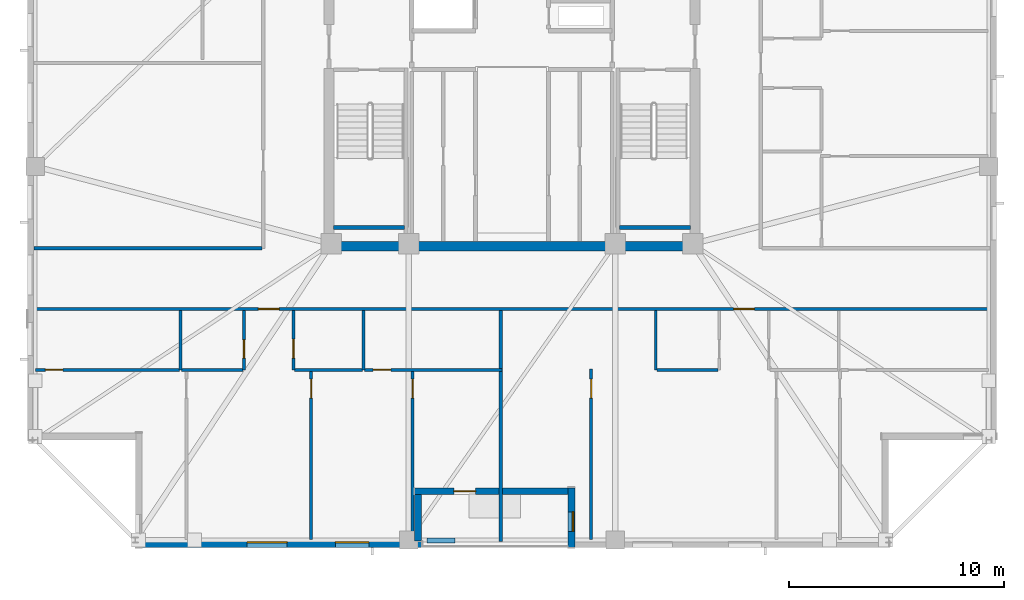
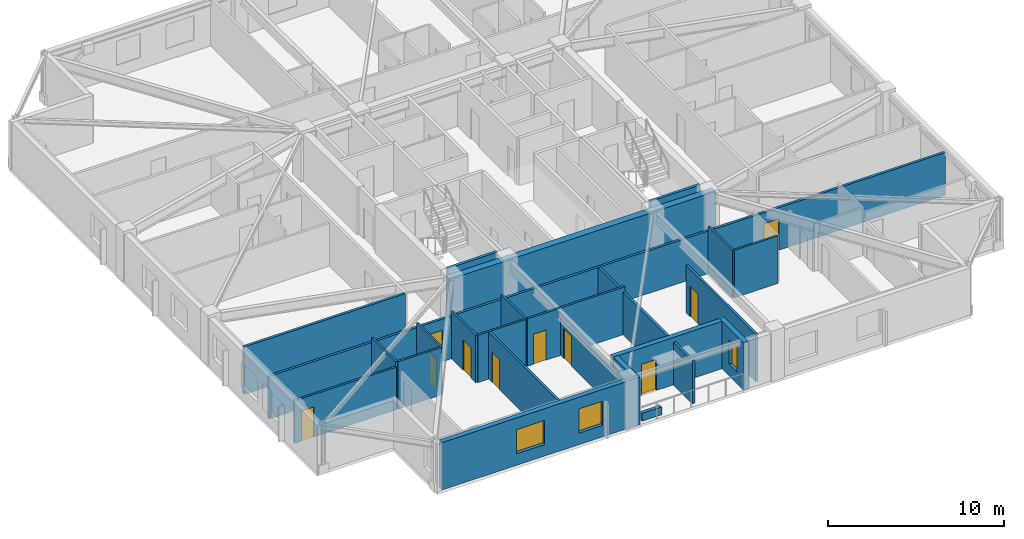
# One storey, part 7 of 17: 24 walls, 10 doors, 3 windows, 13 openings.
"""IFC4 building model written with IfcOpenShell, lengths in metres."""

from ifc_helpers import new_model, si_unit, direction, frame, frame_2d, origin, place, context, subcontext, project, spatial, rectangle, extrude, material, layer, layer_set, type_object, element, fill, save


model = new_model("IFC4")

# Units and contexts
model_context = context("Model", 3, precision=1e-05, world=origin(), true_north=direction((0.0, 1.0)))
body_context = subcontext(model_context, "Body", "Model", "MODEL_VIEW")
ifc_project = project(units=[si_unit("LENGTHUNIT", "METRE"), si_unit("AREAUNIT", "SQUARE_METRE"), si_unit("VOLUMEUNIT", "CUBIC_METRE"), si_unit("PLANEANGLEUNIT", "RADIAN"), si_unit("MASSUNIT", "GRAM", prefix="KILO")], contexts=[model_context])

# Site, building, storey
site_placement = place(None, origin())
site = spatial("IfcSite", under=ifc_project, at=site_placement, CompositionType="ELEMENT")
building_placement = place(site_placement, origin())
building = spatial("IfcBuilding", under=site, at=building_placement, Name="Cairnveth Concourse Tower", CompositionType="ELEMENT")
storey_placement = place(building_placement, frame((0.0, 0.0, 269.0)))
storey = spatial("IfcBuildingStorey", under=building, at=storey_placement, Name="L74", CompositionType="ELEMENT", Elevation=269.0)

# Wall, openings, doors
ifc_material_1 = material(Name="Gypsum Plasterboard Partition", Category="gypsum")
ifc_layer_1 = layer(ifc_material_1, 0.159912109375)
ifc_layer_set_1 = layer_set([ifc_layer_1], Name="Gypsum Plasterboard Partition")
wall_type_1 = type_object("IfcWallType", Name="ACOUSTIC PARTY WALL 180", PredefinedType="PARTITIONING", material=ifc_layer_set_1)
wall_1_placement = place(storey_placement, frame((29.804931640625, 27.577392578125, 0.0), z_axis=(0.0, 0.0, 1.0), x_axis=(1.0, 0.0, 0.0)))
wall_1 = element("IfcWall", 1, at=wall_1_placement, inside=storey, type_object=wall_type_1, Name="Interior Wall IW-L74-036", PredefinedType="PARTITIONING", context=body_context, shape_type="SweptSolid", body=[
    extrude(rectangle(XDim=44.39013671875, YDim=0.159912109375, at=frame_2d((22.195068359375, 0.0))), origin(), (0.0, 0.0, 1.0), 2.9580078125),
])
opening_1_placement = place(wall_1_placement, frame((10.4150390625, 0.0, 0.0)))
opening_1 = element("IfcOpeningElement", 2, at=opening_1_placement, cuts=wall_1, Name="Opening ID10", PredefinedType="OPENING", context=body_context, shape_type="SweptSolid", body=[
    extrude(rectangle(XDim=0.9599609375, YDim=2.179931640625, at=frame_2d((0.47998046875, 1.08984375))), frame((0.0, 0.08984375, 0.0), z_axis=(0.0, -1.0, 0.0), x_axis=(1.0, 0.0, 0.0)), (0.0, 0.0, 1.0), 0.179931640625),
])
opening_2_placement = place(wall_1_placement, frame((32.4951171875, 0.0, 0.0)))
opening_2 = element("IfcOpeningElement", 3, at=opening_2_placement, cuts=wall_1, Name="Opening ID10", PredefinedType="OPENING", context=body_context, shape_type="SweptSolid", body=[
    extrude(rectangle(XDim=0.9599609375, YDim=2.179931640625, at=frame_2d((0.47998046875, 1.08984375))), frame((0.0, 0.08984375, 0.0), z_axis=(0.0, -1.0, 0.0), x_axis=(1.0, 0.0, 0.0)), (0.0, 0.0, 1.0), 0.179931640625),
])
ifc_material_2 = material(Name="Solid Core Hardwood Timber Leaf", Category="wood")
door_type_1 = type_object("IfcDoorType", Name="FLAT ENTRANCE DOOR 960X2150", OperationType="NOTDEFINED", PredefinedType="DOOR", material=ifc_material_2)
door_1_placement = place(opening_1_placement, origin())
door_1 = element("IfcDoor", 4, at=door_1_placement, inside=storey, type_object=door_type_1, Name="Apartment L74S1 Entrance Door", OperationType="SINGLE_SWING_RIGHT", OverallHeight=2.179931640625, OverallWidth=0.9599609375, PredefinedType="DOOR", context=body_context, shape_type="SweptSolid", body=[
    extrude(rectangle(XDim=0.9599609375, YDim=2.179931640625, at=frame_2d((0.47998046875, 1.08984375))), frame((0.0, 0.02490234375, 0.0), z_axis=(0.0, -1.0, 0.0), x_axis=(1.0, 0.0, 0.0)), (0.0, 0.0, 1.0), 0.050048828125),
])
fill(opening_1, door_1)
door_2_placement = place(opening_2_placement, origin())
door_2 = element("IfcDoor", 5, at=door_2_placement, inside=storey, type_object=door_type_1, Name="Apartment L74S2 Entrance Door", OperationType="SINGLE_SWING_LEFT", OverallHeight=2.179931640625, OverallWidth=0.9599609375, PredefinedType="DOOR", context=body_context, shape_type="SweptSolid", body=[
    extrude(rectangle(XDim=0.9599609375, YDim=2.179931640625, at=frame_2d((0.47998046875, 1.08984375))), frame((0.0, 0.02490234375, 0.0), z_axis=(0.0, -1.0, 0.0), x_axis=(1.0, 0.0, 0.0)), (0.0, 0.0, 1.0), 0.050048828125),
])
fill(opening_2, door_2)

# Walls
wall_2_placement = place(storey_placement, frame((29.804931640625, 30.39990234375, 0.0), z_axis=(0.0, 0.0, 1.0), x_axis=(1.0, 0.0, 0.0)))
element("IfcWall", 6, at=wall_2_placement, inside=storey, type_object=wall_type_1, Name="Interior Wall IW-L74-040", PredefinedType="PARTITIONING", context=body_context, shape_type="SweptSolid", body=[
    extrude(rectangle(XDim=10.580078125, YDim=0.159912109375, at=frame_2d((5.2900390625, 0.0))), origin(), (0.0, 0.0, 1.0), 3.2900390625),
])
wall_3_placement = place(storey_placement, frame((51.47998046875, 16.77001953125, 0.0), z_axis=(0.0, 0.0, 1.0), x_axis=(0.0, 1.0, 0.0)))
element("IfcWall", 7, at=wall_3_placement, inside=storey, type_object=wall_type_1, Name="Interior Wall IW-L74-055", PredefinedType="PARTITIONING", context=body_context, shape_type="SweptSolid", body=[
    extrude(rectangle(XDim=10.742431640625, YDim=0.159912109375, at=frame_2d((5.37109375, 0.0))), origin(), (0.0, 0.0, 1.0), 2.9580078125),
])
ifc_material_3 = material(Name="Concrete N65 (65 MPa)", Category="concrete")
ifc_layer_2 = layer(ifc_material_3, 0.449951171875)
ifc_layer_set_2 = layer_set([ifc_layer_2], Name="Concrete N65 (65 MPa)")
wall_type_2 = type_object("IfcWallType", Name="CORE SHEAR WALL 450", PredefinedType="SHEAR", material=ifc_layer_set_2)
wall_4_placement = place(storey_placement, frame((43.27490234375, 30.5, 0.0), z_axis=(0.0, 0.0, 1.0), x_axis=(1.0, 0.0, 0.0)))
element("IfcWall", 8, at=wall_4_placement, inside=storey, type_object=wall_type_2, Name="Core South Shear Wall L74", PredefinedType="SHEAR", context=body_context, shape_type="SweptSolid", body=[
    extrude(rectangle(XDim=17.4501953125, YDim=0.449951171875, at=frame_2d((8.72509765625, 0.0))), origin(), (0.0, 0.0, 1.0), 3.2900390625),
])
ifc_material_4 = material(Name="Concrete N50 (50 MPa)", Category="concrete")
ifc_layer_3 = layer(ifc_material_4, 0.179931640625)
ifc_layer_set_3 = layer_set([ifc_layer_3], Name="Concrete N50 (50 MPa)")
wall_type_3 = type_object("IfcWallType", Name="FIRE SHAFT WALL 180", PredefinedType="SOLIDWALL", material=ifc_layer_set_3)
for number, where, z_axis, x_axis, name in (
    (9, (43.715087890625, 31.360107421875, 0.0), (0.0, 0.0, 1.0), (1.0, 0.0, 0.0), "Stair ST-1 Shaft Wall FAR L74"),
    (10, (57.0048828125, 31.360107421875, 0.0), (0.0, 0.0, 1.0), (1.0, 0.0, 0.0), "Stair ST-2 Shaft Wall FAR L74"),
):
    element("IfcWall", number, at=place(storey_placement, frame(where, z_axis=z_axis, x_axis=x_axis)), inside=storey, type_object=wall_type_3, Name=name, PredefinedType="SOLIDWALL", context=body_context, shape_type="SweptSolid", body=[
        extrude(rectangle(XDim=3.280029296875, YDim=0.179931640625, at=frame_2d((1.64013671875, 0.0))), origin(), (0.0, 0.0, 1.0), 3.2900390625),
    ])

# Wall, opening, door
ifc_layer_4 = layer(ifc_material_1, 0.139892578125)
ifc_layer_set_4 = layer_set([ifc_layer_4], Name="Gypsum Plasterboard Partition")
wall_type_4 = type_object("IfcWallType", Name="GYPSUM STUD PARTITION 140", PredefinedType="PARTITIONING", material=ifc_layer_set_4)
wall_5_placement = place(storey_placement, frame((29.8701171875, 24.74755859375, 0.0), z_axis=(0.0, 0.0, 1.0), x_axis=(1.0, 0.0, 0.0)))
wall_5 = element("IfcWall", 11, at=wall_5_placement, inside=storey, type_object=wall_type_4, Name="Interior Wall IW-L74-051", PredefinedType="PARTITIONING", context=body_context, shape_type="SweptSolid", body=[
    extrude(rectangle(XDim=6.679931640625, YDim=0.139892578125, at=frame_2d((3.33984375, 0.0))), origin(), (0.0, 0.0, 1.0), 2.9580078125),
])
opening_3_placement = place(wall_5_placement, frame((0.449951171875, 0.0, 0.0)))
opening_3 = element("IfcOpeningElement", 12, at=opening_3_placement, cuts=wall_5, Name="Opening ID22", PredefinedType="OPENING", context=body_context, shape_type="SweptSolid", body=[
    extrude(rectangle(XDim=0.820068359375, YDim=2.10009765625, at=frame_2d((0.41015625, 1.050048828125))), frame((0.0, 0.079833984375, 0.0), z_axis=(0.0, -1.0, 0.0), x_axis=(1.0, 0.0, 0.0)), (0.0, 0.0, 1.0), 0.159912109375),
])
door_type_2 = type_object("IfcDoorType", Name="INTERIOR WC DOOR 820X2100", OperationType="NOTDEFINED", PredefinedType="DOOR", material=ifc_material_2)
door_3_placement = place(opening_3_placement, origin())
door_3 = element("IfcDoor", 13, at=door_3_placement, inside=storey, type_object=door_type_2, Name="L74S1 Dressing Door", OperationType="SINGLE_SWING_LEFT", OverallHeight=2.10009765625, OverallWidth=0.820068359375, PredefinedType="DOOR", context=body_context, shape_type="SweptSolid", body=[
    extrude(rectangle(XDim=0.820068359375, YDim=2.10009765625, at=frame_2d((0.41015625, 1.050048828125))), frame((0.0, 0.02490234375, 0.0), z_axis=(0.0, -1.0, 0.0), x_axis=(1.0, 0.0, 0.0)), (0.0, 0.0, 1.0), 0.050048828125),
])
fill(opening_3, door_3)

wall_6_placement = place(storey_placement, frame((47.3798828125, 16.8798828125, 0.0), z_axis=(0.0, 0.0, 1.0), x_axis=(0.0, 1.0, 0.0)))
wall_6 = element("IfcWall", 14, at=wall_6_placement, inside=storey, type_object=wall_type_4, Name="Interior Wall IW-L74-052", PredefinedType="PARTITIONING", context=body_context, shape_type="SweptSolid", body=[
    extrude(rectangle(XDim=7.90771484375, YDim=0.139892578125, at=frame_2d((3.953857421875, 0.0))), origin(), (0.0, 0.0, 1.0), 2.572998046875),
])
opening_4_placement = place(wall_6_placement, frame((6.5576171875, 0.0, 0.0)))
opening_4 = element("IfcOpeningElement", 15, at=opening_4_placement, cuts=wall_6, Name="Opening ID18", PredefinedType="OPENING", context=body_context, shape_type="SweptSolid", body=[
    extrude(rectangle(XDim=0.8798828125, YDim=2.10009765625, at=frame_2d((0.43994140625, 1.050048828125))), frame((0.0, 0.079833984375, 0.0), z_axis=(0.0, -1.0, 0.0), x_axis=(1.0, 0.0, 0.0)), (0.0, 0.0, 1.0), 0.159912109375),
])
door_type_3 = type_object("IfcDoorType", Name="INTERIOR SINGLE DOOR 880X2100", OperationType="NOTDEFINED", PredefinedType="DOOR", material=ifc_material_2)
door_4_placement = place(opening_4_placement, origin())
door_4 = element("IfcDoor", 16, at=door_4_placement, inside=storey, type_object=door_type_3, Name="L74S1 Bedroom 2 Door", OperationType="SINGLE_SWING_RIGHT", OverallHeight=2.10009765625, OverallWidth=0.8798828125, PredefinedType="DOOR", context=body_context, shape_type="SweptSolid", body=[
    extrude(rectangle(XDim=0.8798828125, YDim=2.10009765625, at=frame_2d((0.43994140625, 1.050048828125))), frame((0.0, 0.02490234375, 0.0), z_axis=(0.0, -1.0, 0.0), x_axis=(1.0, 0.0, 0.0)), (0.0, 0.0, 1.0), 0.050048828125),
])
fill(opening_4, door_4)

wall_7_placement = place(storey_placement, frame((45.14990234375, 24.74755859375, 0.0), z_axis=(0.0, 0.0, 1.0), x_axis=(1.0, 0.0, 0.0)))
wall_7 = element("IfcWall", 17, at=wall_7_placement, inside=storey, type_object=wall_type_4, Name="Interior Wall IW-L74-053", PredefinedType="PARTITIONING", context=body_context, shape_type="SweptSolid", body=[
    extrude(rectangle(XDim=6.380126953125, YDim=0.139892578125, at=frame_2d((3.18994140625, 0.0))), origin(), (0.0, 0.0, 1.0), 3.2900390625),
])
opening_5_placement = place(wall_7_placement, frame((0.39990234375, 0.0, 0.0)))
opening_5 = element("IfcOpeningElement", 18, at=opening_5_placement, cuts=wall_7, Name="Opening ID22", PredefinedType="OPENING", context=body_context, shape_type="SweptSolid", body=[
    extrude(rectangle(XDim=0.820068359375, YDim=2.10009765625, at=frame_2d((0.41015625, 1.050048828125))), frame((0.0, 0.079833984375, 0.0), z_axis=(0.0, -1.0, 0.0), x_axis=(1.0, 0.0, 0.0)), (0.0, 0.0, 1.0), 0.159912109375),
])
door_5_placement = place(opening_5_placement, origin())
door_5 = element("IfcDoor", 19, at=door_5_placement, inside=storey, type_object=door_type_2, Name="L74S1 Utility Door", OperationType="SINGLE_SWING_LEFT", OverallHeight=2.10009765625, OverallWidth=0.820068359375, PredefinedType="DOOR", context=body_context, shape_type="SweptSolid", body=[
    extrude(rectangle(XDim=0.820068359375, YDim=2.10009765625, at=frame_2d((0.41015625, 1.050048828125))), frame((0.0, 0.02490234375, 0.0), z_axis=(0.0, -1.0, 0.0), x_axis=(1.0, 0.0, 0.0)), (0.0, 0.0, 1.0), 0.050048828125),
])
fill(opening_5, door_5)

wall_8_placement = place(storey_placement, frame((42.669921875, 16.8798828125, 0.0), z_axis=(0.0, 0.0, 1.0), x_axis=(0.0, 1.0, 0.0)))
wall_8 = element("IfcWall", 20, at=wall_8_placement, inside=storey, type_object=wall_type_4, Name="Interior Wall IW-L74-054", PredefinedType="PARTITIONING", context=body_context, shape_type="SweptSolid", body=[
    extrude(rectangle(XDim=7.817626953125, YDim=0.139892578125, at=frame_2d((3.90869140625, 0.0))), origin(), (0.0, 0.0, 1.0), 3.2900390625),
])
opening_6_placement = place(wall_8_placement, frame((6.5576171875, 0.0, 0.0)))
opening_6 = element("IfcOpeningElement", 21, at=opening_6_placement, cuts=wall_8, Name="Opening ID18", PredefinedType="OPENING", context=body_context, shape_type="SweptSolid", body=[
    extrude(rectangle(XDim=0.8798828125, YDim=2.10009765625, at=frame_2d((0.43994140625, 1.050048828125))), frame((0.0, 0.079833984375, 0.0), z_axis=(0.0, -1.0, 0.0), x_axis=(1.0, 0.0, 0.0)), (0.0, 0.0, 1.0), 0.159912109375),
])
door_6_placement = place(opening_6_placement, origin())
door_6 = element("IfcDoor", 22, at=door_6_placement, inside=storey, type_object=door_type_3, Name="L74S1 Media Lounge Door", OperationType="SINGLE_SWING_LEFT", OverallHeight=2.10009765625, OverallWidth=0.8798828125, PredefinedType="DOOR", context=body_context, shape_type="SweptSolid", body=[
    extrude(rectangle(XDim=0.8798828125, YDim=2.10009765625, at=frame_2d((0.43994140625, 1.050048828125))), frame((0.0, 0.02490234375, 0.0), z_axis=(0.0, -1.0, 0.0), x_axis=(1.0, 0.0, 0.0)), (0.0, 0.0, 1.0), 0.050048828125),
])
fill(opening_6, door_6)

wall_9_placement = place(storey_placement, frame((55.679931640625, 16.8798828125, 0.0), z_axis=(0.0, 0.0, 1.0), x_axis=(0.0, 1.0, 0.0)))
wall_9 = element("IfcWall", 23, at=wall_9_placement, inside=storey, type_object=wall_type_4, Name="Interior Wall IW-L74-062", PredefinedType="PARTITIONING", context=body_context, shape_type="SweptSolid", body=[
    extrude(rectangle(XDim=7.90771484375, YDim=0.139892578125, at=frame_2d((3.953857421875, 0.0))), origin(), (0.0, 0.0, 1.0), 3.2900390625),
])
opening_7_placement = place(wall_9_placement, frame((6.5576171875, 0.0, 0.0)))
opening_7 = element("IfcOpeningElement", 24, at=opening_7_placement, cuts=wall_9, Name="Opening ID18", PredefinedType="OPENING", context=body_context, shape_type="SweptSolid", body=[
    extrude(rectangle(XDim=0.8798828125, YDim=2.10009765625, at=frame_2d((0.43994140625, 1.050048828125))), frame((0.0, 0.079833984375, 0.0), z_axis=(0.0, -1.0, 0.0), x_axis=(1.0, 0.0, 0.0)), (0.0, 0.0, 1.0), 0.159912109375),
])
door_7_placement = place(opening_7_placement, origin())
door_7 = element("IfcDoor", 25, at=door_7_placement, inside=storey, type_object=door_type_3, Name="L74S2 Master Bedroom Door", OperationType="SINGLE_SWING_LEFT", OverallHeight=2.10009765625, OverallWidth=0.8798828125, PredefinedType="DOOR", context=body_context, shape_type="SweptSolid", body=[
    extrude(rectangle(XDim=0.8798828125, YDim=2.10009765625, at=frame_2d((0.43994140625, 1.050048828125))), frame((0.0, 0.02490234375, 0.0), z_axis=(0.0, -1.0, 0.0), x_axis=(1.0, 0.0, 0.0)), (0.0, 0.0, 1.0), 0.050048828125),
])
fill(opening_7, door_7)

# Walls
ifc_material_5 = material(Name="Dressed Melbourne Bluestone Cladding", Category="masonry")
ifc_layer_5 = layer(ifc_material_5, 0.219970703125)
ifc_layer_set_5 = layer_set([ifc_layer_5], Name="Dressed Melbourne Bluestone Cladding")
wall_type_5 = type_object("IfcWallType", Name="TERRACE PLANTER CURB WALL 220", PredefinedType="PARAPET", material=ifc_layer_set_5)
wall_10_placement = place(storey_placement, frame((48.050048828125, 16.820068359375, 0.0), z_axis=(0.0, 0.0, 1.0), x_axis=(1.0, 0.0, 0.0)))
element("IfcWall", 26, at=wall_10_placement, inside=storey, type_object=wall_type_5, Name="Exterior Wall PLNT-L74-TERR", PredefinedType="PARAPET", context=body_context, shape_type="SweptSolid", body=[
    extrude(rectangle(XDim=1.300048828125, YDim=0.219970703125, at=frame_2d((0.64990234375, 0.0))), origin(), (0.0, 0.0, 1.0), 0.550048828125),
])
ifc_layer_6 = layer(ifc_material_1, 0.1298828125)
ifc_layer_set_6 = layer_set([ifc_layer_6], Name="Gypsum Plasterboard Partition")
wall_type_6 = type_object("IfcWallType", Name="WET AREA PARTITION 140", PredefinedType="PLUMBINGWALL", material=ifc_layer_set_6)
wall_11_placement = place(storey_placement, frame((36.60009765625, 24.74755859375, 0.0), z_axis=(0.0, 0.0, 1.0), x_axis=(0.0, 1.0, 0.0)))
element("IfcWall", 27, at=wall_11_placement, inside=storey, type_object=wall_type_6, Name="Interior Wall IW-L74-044", PredefinedType="PLUMBINGWALL", context=body_context, shape_type="SweptSolid", body=[
    extrude(rectangle(XDim=2.75, YDim=0.1298828125, at=frame_2d((1.375, 0.0))), origin(), (0.0, 0.0, 1.0), 3.2900390625),
])

# Wall, opening, door
wall_12_placement = place(storey_placement, frame((39.550048828125, 24.74755859375, 0.0), z_axis=(0.0, 0.0, 1.0), x_axis=(0.0, 1.0, 0.0)))
wall_12 = element("IfcWall", 28, at=wall_12_placement, inside=storey, type_object=wall_type_6, Name="Interior Wall IW-L74-045", PredefinedType="PLUMBINGWALL", context=body_context, shape_type="SweptSolid", body=[
    extrude(rectangle(XDim=2.75, YDim=0.1298828125, at=frame_2d((1.375, 0.0))), origin(), (0.0, 0.0, 1.0), 3.2900390625),
])
opening_8_placement = place(wall_12_placement, frame((0.550048828125, 0.0, 0.0)))
opening_8 = element("IfcOpeningElement", 29, at=opening_8_placement, cuts=wall_12, Name="Opening ID21", PredefinedType="OPENING", context=body_context, shape_type="SweptSolid", body=[
    extrude(rectangle(XDim=0.85009765625, YDim=2.080078125, at=frame_2d((0.425048828125, 1.0400390625))), frame((0.0, 0.074951171875, 0.0), z_axis=(0.0, -1.0, 0.0), x_axis=(1.0, 0.0, 0.0)), (0.0, 0.0, 1.0), 0.14990234375),
])
door_type_4 = type_object("IfcDoorType", Name="INTERIOR WC DOOR 850X2100", OperationType="NOTDEFINED", PredefinedType="DOOR", material=ifc_material_2)
door_8_placement = place(opening_8_placement, origin())
door_8 = element("IfcDoor", 30, at=door_8_placement, inside=storey, type_object=door_type_4, Name="L74S1 Bathroom Door", OperationType="SINGLE_SWING_LEFT", OverallHeight=2.080078125, OverallWidth=0.85009765625, PredefinedType="DOOR", context=body_context, shape_type="SweptSolid", body=[
    extrude(rectangle(XDim=0.85009765625, YDim=2.080078125, at=frame_2d((0.425048828125, 1.0400390625))), frame((0.0, 0.02490234375, 0.0), z_axis=(0.0, -1.0, 0.0), x_axis=(1.0, 0.0, 0.0)), (0.0, 0.0, 1.0), 0.050048828125),
])
fill(opening_8, door_8)

# Walls
wall_13_placement = place(storey_placement, frame((36.64990234375, 24.74755859375, 0.0), z_axis=(0.0, 0.0, 1.0), x_axis=(1.0, 0.0, 0.0)))
element("IfcWall", 31, at=wall_13_placement, inside=storey, type_object=wall_type_6, Name="Interior Wall IW-L74-046", PredefinedType="PLUMBINGWALL", context=body_context, shape_type="SweptSolid", body=[
    extrude(rectangle(XDim=2.85009765625, YDim=0.1298828125, at=frame_2d((1.425048828125, 0.0))), origin(), (0.0, 0.0, 1.0), 3.2900390625),
])
wall_14_placement = place(storey_placement, frame((45.10009765625, 24.74755859375, 0.0), z_axis=(0.0, 0.0, 1.0), x_axis=(0.0, 1.0, 0.0)))
element("IfcWall", 32, at=wall_14_placement, inside=storey, type_object=wall_type_6, Name="Interior Wall IW-L74-047", PredefinedType="PLUMBINGWALL", context=body_context, shape_type="SweptSolid", body=[
    extrude(rectangle(XDim=2.75, YDim=0.1298828125, at=frame_2d((1.375, 0.0))), origin(), (0.0, 0.0, 1.0), 3.2900390625),
])

# Wall, opening, door
wall_15_placement = place(storey_placement, frame((41.85009765625, 24.74755859375, 0.0), z_axis=(0.0, 0.0, 1.0), x_axis=(0.0, 1.0, 0.0)))
wall_15 = element("IfcWall", 33, at=wall_15_placement, inside=storey, type_object=wall_type_6, Name="Interior Wall IW-L74-048", PredefinedType="PLUMBINGWALL", context=body_context, shape_type="SweptSolid", body=[
    extrude(rectangle(XDim=2.75, YDim=0.1298828125, at=frame_2d((1.375, 0.0))), origin(), (0.0, 0.0, 1.0), 3.2900390625),
])
opening_9_placement = place(wall_15_placement, frame((0.550048828125, 0.0, 0.0)))
opening_9 = element("IfcOpeningElement", 34, at=opening_9_placement, cuts=wall_15, Name="Opening ID18", PredefinedType="OPENING", context=body_context, shape_type="SweptSolid", body=[
    extrude(rectangle(XDim=0.8798828125, YDim=2.10009765625, at=frame_2d((0.43994140625, 1.050048828125))), frame((0.0, 0.074951171875, 0.0), z_axis=(0.0, -1.0, 0.0), x_axis=(1.0, 0.0, 0.0)), (0.0, 0.0, 1.0), 0.14990234375),
])
door_9_placement = place(opening_9_placement, origin())
door_9 = element("IfcDoor", 35, at=door_9_placement, inside=storey, type_object=door_type_3, Name="L74S1 Kitchen Door", OperationType="SINGLE_SWING_RIGHT", OverallHeight=2.10009765625, OverallWidth=0.8798828125, PredefinedType="DOOR", context=body_context, shape_type="SweptSolid", body=[
    extrude(rectangle(XDim=0.8798828125, YDim=2.10009765625, at=frame_2d((0.43994140625, 1.050048828125))), frame((0.0, 0.02490234375, 0.0), z_axis=(0.0, -1.0, 0.0), x_axis=(1.0, 0.0, 0.0)), (0.0, 0.0, 1.0), 0.050048828125),
])
fill(opening_9, door_9)

# Walls
wall_16_placement = place(storey_placement, frame((41.89990234375, 24.74755859375, 0.0), z_axis=(0.0, 0.0, 1.0), x_axis=(1.0, 0.0, 0.0)))
element("IfcWall", 36, at=wall_16_placement, inside=storey, type_object=wall_type_6, Name="Interior Wall IW-L74-049", PredefinedType="PLUMBINGWALL", context=body_context, shape_type="SweptSolid", body=[
    extrude(rectangle(XDim=3.150146484375, YDim=0.1298828125, at=frame_2d((1.5751953125, 0.0))), origin(), (0.0, 0.0, 1.0), 3.2900390625),
])
wall_17_placement = place(storey_placement, frame((58.679931640625, 24.74755859375, 0.0), z_axis=(0.0, 0.0, 1.0), x_axis=(0.0, 1.0, 0.0)))
element("IfcWall", 37, at=wall_17_placement, inside=storey, type_object=wall_type_6, Name="Interior Wall IW-L74-056", PredefinedType="PLUMBINGWALL", context=body_context, shape_type="SweptSolid", body=[
    extrude(rectangle(XDim=2.75, YDim=0.1298828125, at=frame_2d((1.375, 0.0))), origin(), (0.0, 0.0, 1.0), 3.2900390625),
])
wall_18_placement = place(storey_placement, frame((58.72998046875, 24.74755859375, 0.0), z_axis=(0.0, 0.0, 1.0), x_axis=(1.0, 0.0, 0.0)))
element("IfcWall", 38, at=wall_18_placement, inside=storey, type_object=wall_type_6, Name="Interior Wall IW-L74-058", PredefinedType="PLUMBINGWALL", context=body_context, shape_type="SweptSolid", body=[
    extrude(rectangle(XDim=2.85009765625, YDim=0.1298828125, at=frame_2d((1.425048828125, 0.0))), origin(), (0.0, 0.0, 1.0), 3.2900390625),
])

# Wall, openings, windows
ifc_material_6 = material(Name="Melbourne Buff Fired Clay Brick Masonry", Category="masonry")
ifc_layer_7 = layer(ifc_material_6, 0.320068359375)
ifc_layer_set_7 = layer_set([ifc_layer_7], Name="Melbourne Buff Fired Clay Brick Masonry")
wall_type_7 = type_object("IfcWallType", Name="ZONE 3 BRICK PIER SPANDREL WALL 320", PredefinedType="SOLIDWALL", material=ifc_layer_set_7)
wall_19_placement = place(storey_placement, frame((47.800048828125, 16.659912109375, 0.0), z_axis=(0.0, 0.0, 1.0), x_axis=(-1.0, 0.0, 0.0)))
wall_19 = element("IfcWall", 39, at=wall_19_placement, inside=storey, type_object=wall_type_7, Name="Exterior Wall EW-L74-S00", PredefinedType="SOLIDWALL", context=body_context, shape_type="SweptSolid", body=[
    extrude(rectangle(XDim=13.001953125, YDim=0.320068359375, at=frame_2d((6.5009765625, 0.0))), origin(), (0.0, 0.0, 1.0), 3.2900390625),
])
opening_10_placement = place(wall_19_placement, frame((2.450439453125, 0.0, 0.800048828125)))
opening_10 = element("IfcOpeningElement", 40, at=opening_10_placement, cuts=wall_19, Name="Opening W07", PredefinedType="OPENING", context=body_context, shape_type="SweptSolid", body=[
    extrude(rectangle(XDim=1.550048828125, YDim=1.677978515625, at=frame_2d((0.77490234375, 0.8388671875))), frame((0.0, 0.169921875, 0.0), z_axis=(0.0, -1.0, 0.0), x_axis=(1.0, 0.0, 0.0)), (0.0, 0.0, 1.0), 0.340087890625),
])
opening_11_placement = place(wall_19_placement, frame((6.25146484375, 0.0, 0.800048828125)))
opening_11 = element("IfcOpeningElement", 41, at=opening_11_placement, cuts=wall_19, Name="Opening W08", PredefinedType="OPENING", context=body_context, shape_type="SweptSolid", body=[
    extrude(rectangle(XDim=1.85009765625, YDim=1.677978515625, at=frame_2d((0.925048828125, 0.8388671875))), frame((0.0, 0.169921875, 0.0), z_axis=(0.0, -1.0, 0.0), x_axis=(1.0, 0.0, 0.0)), (0.0, 0.0, 1.0), 0.340087890625),
])
ifc_material_7 = material(Name="Double Glazed Low-E Clear Glass", Category="glass")
window_type_1 = type_object("IfcWindowType", Name="DEEP-SET APARTMENT LIVING WINDOW 1850X1850", PartitioningType="DOUBLE_PANEL_VERTICAL", PredefinedType="WINDOW", material=ifc_material_7)
window_1_placement = place(opening_11_placement, origin())
window_1 = element("IfcWindow", 42, at=window_1_placement, inside=storey, type_object=window_type_1, Name="Gothic Lancet Window L74-0-2", OverallHeight=1.677978515625, OverallWidth=1.85009765625, PartitioningType="SINGLE_PANEL", PredefinedType="WINDOW", context=body_context, shape_type="SweptSolid", body=[
    extrude(rectangle(XDim=1.85009765625, YDim=1.677978515625, at=frame_2d((0.925048828125, 0.8388671875))), frame((0.0, -0.050048828125, 0.0), z_axis=(0.0, -1.0, 0.0), x_axis=(1.0, 0.0, 0.0)), (0.0, 0.0, 1.0), 0.06005859375),
])
fill(opening_11, window_1)
window_type_2 = type_object("IfcWindowType", Name="DEEP-SET APARTMENT WINDOW 1550X1800", PartitioningType="DOUBLE_PANEL_VERTICAL", PredefinedType="WINDOW", material=ifc_material_7)
window_2_placement = place(opening_10_placement, origin())
window_2 = element("IfcWindow", 43, at=window_2_placement, inside=storey, type_object=window_type_2, Name="Gothic Lancet Window L74-0-1", OverallHeight=1.677978515625, OverallWidth=1.550048828125, PartitioningType="SINGLE_PANEL", PredefinedType="WINDOW", context=body_context, shape_type="SweptSolid", body=[
    extrude(rectangle(XDim=1.550048828125, YDim=1.677978515625, at=frame_2d((0.77490234375, 0.8388671875))), frame((0.0, -0.050048828125, 0.0), z_axis=(0.0, -1.0, 0.0), x_axis=(1.0, 0.0, 0.0)), (0.0, 0.0, 1.0), 0.06005859375),
])
fill(opening_10, window_2)

# Wall, opening, window
wall_20_placement = place(storey_placement, frame((54.760009765625, 16.5, 0.0), z_axis=(0.0, 0.0, 1.0), x_axis=(0.0, 1.0, 0.0)))
wall_20 = element("IfcWall", 44, at=wall_20_placement, inside=storey, type_object=wall_type_7, Name="Exterior Wall EW-L74-S13", PredefinedType="SOLIDWALL", context=body_context, shape_type="SweptSolid", body=[
    extrude(rectangle(XDim=2.77001953125, YDim=0.320068359375, at=frame_2d((1.385009765625, 0.0))), origin(), (0.0, 0.0, 1.0), 3.2900390625),
])
opening_12_placement = place(wall_20_placement, frame((0.75, 0.0, 0.800048828125)))
opening_12 = element("IfcOpeningElement", 45, at=opening_12_placement, cuts=wall_20, Name="Opening W13", PredefinedType="OPENING", context=body_context, shape_type="SweptSolid", body=[
    extrude(rectangle(XDim=0.89990234375, YDim=1.677978515625, at=frame_2d((0.449951171875, 0.8388671875))), frame((0.0, 0.169921875, 0.0), z_axis=(0.0, -1.0, 0.0), x_axis=(1.0, 0.0, 0.0)), (0.0, 0.0, 1.0), 0.340087890625),
])
window_type_3 = type_object("IfcWindowType", Name="DEEP-SET BEDROOM LANCET WINDOW 900X1750", PartitioningType="DOUBLE_PANEL_VERTICAL", PredefinedType="WINDOW", material=ifc_material_7)
window_3_placement = place(opening_12_placement, origin())
window_3 = element("IfcWindow", 46, at=window_3_placement, inside=storey, type_object=window_type_3, Name="Dwelling Lancet Window L74-DW2", OverallHeight=1.677978515625, OverallWidth=0.89990234375, PartitioningType="SINGLE_PANEL", PredefinedType="WINDOW", context=body_context, shape_type="SweptSolid", body=[
    extrude(rectangle(XDim=0.89990234375, YDim=1.677978515625, at=frame_2d((0.449951171875, 0.8388671875))), frame((0.0, -0.0400390625, 0.0), z_axis=(0.0, -1.0, 0.0), x_axis=(1.0, 0.0, 0.0)), (0.0, 0.0, 1.0), 0.06005859375),
])
fill(opening_12, window_3)

# Wall, opening, door
wall_21_placement = place(storey_placement, frame((54.6220703125, 19.110107421875, 0.0), z_axis=(0.0, 0.0, 1.0), x_axis=(-1.0, 0.0, 0.0)))
wall_21 = element("IfcWall", 47, at=wall_21_placement, inside=storey, type_object=wall_type_7, Name="Exterior Wall EW-L74-S14", PredefinedType="SOLIDWALL", context=body_context, shape_type="SweptSolid", body=[
    extrude(rectangle(XDim=7.14208984375, YDim=0.320068359375, at=frame_2d((3.571044921875, 0.0))), origin(), (0.0, 0.0, 1.0), 3.2900390625),
])
opening_13_placement = place(wall_21_placement, frame((4.31689453125, 0.0, 0.0)))
opening_13 = element("IfcOpeningElement", 48, at=opening_13_placement, cuts=wall_21, Name="Opening ED4", PredefinedType="OPENING", context=body_context, shape_type="SweptSolid", body=[
    extrude(rectangle(XDim=1.0, YDim=2.14990234375, at=frame_2d((0.5, 1.074951171875))), frame((0.0, 0.169921875, 0.0), z_axis=(0.0, -1.0, 0.0), x_axis=(1.0, 0.0, 0.0)), (0.0, 0.0, 1.0), 0.340087890625),
])
ifc_material_8 = material(Name="Architectural Bronze Anodised Aluminium 6063-T6", Category="aluminium")
door_type_5 = type_object("IfcDoorType", Name="TERRACE GLAZED DOOR 1000X2150", OperationType="NOTDEFINED", PredefinedType="DOOR", material=ifc_material_8)
door_10_placement = place(opening_13_placement, origin())
door_10 = element("IfcDoor", 49, at=door_10_placement, inside=storey, type_object=door_type_5, Name="Spiral Terrace Door L74", OperationType="SINGLE_SWING_LEFT", OverallHeight=2.14990234375, OverallWidth=1.0, PredefinedType="DOOR", context=body_context, shape_type="SweptSolid", body=[
    extrude(rectangle(XDim=1.0, YDim=2.14990234375, at=frame_2d((0.5, 1.074951171875))), frame((0.0, 0.02490234375, 0.0), z_axis=(0.0, -1.0, 0.0), x_axis=(1.0, 0.0, 0.0)), (0.0, 0.0, 1.0), 0.050048828125),
])
fill(opening_13, door_10)

# Wall
wall_22_placement = place(storey_placement, frame((47.639892578125, 18.971923828125, 0.0), z_axis=(0.0, 0.0, 1.0), x_axis=(0.0, -1.0, 0.0)))
element("IfcWall", 50, at=wall_22_placement, inside=storey, type_object=wall_type_7, Name="Exterior Wall EW-L74-S15", PredefinedType="SOLIDWALL", context=body_context, shape_type="SweptSolid", body=[
    extrude(rectangle(XDim=2.173828125, YDim=0.320068359375, at=frame_2d((1.0869140625, 0.0))), origin(), (0.0, 0.0, 1.0), 3.2900390625),
])

save(model, "model.ifc")
